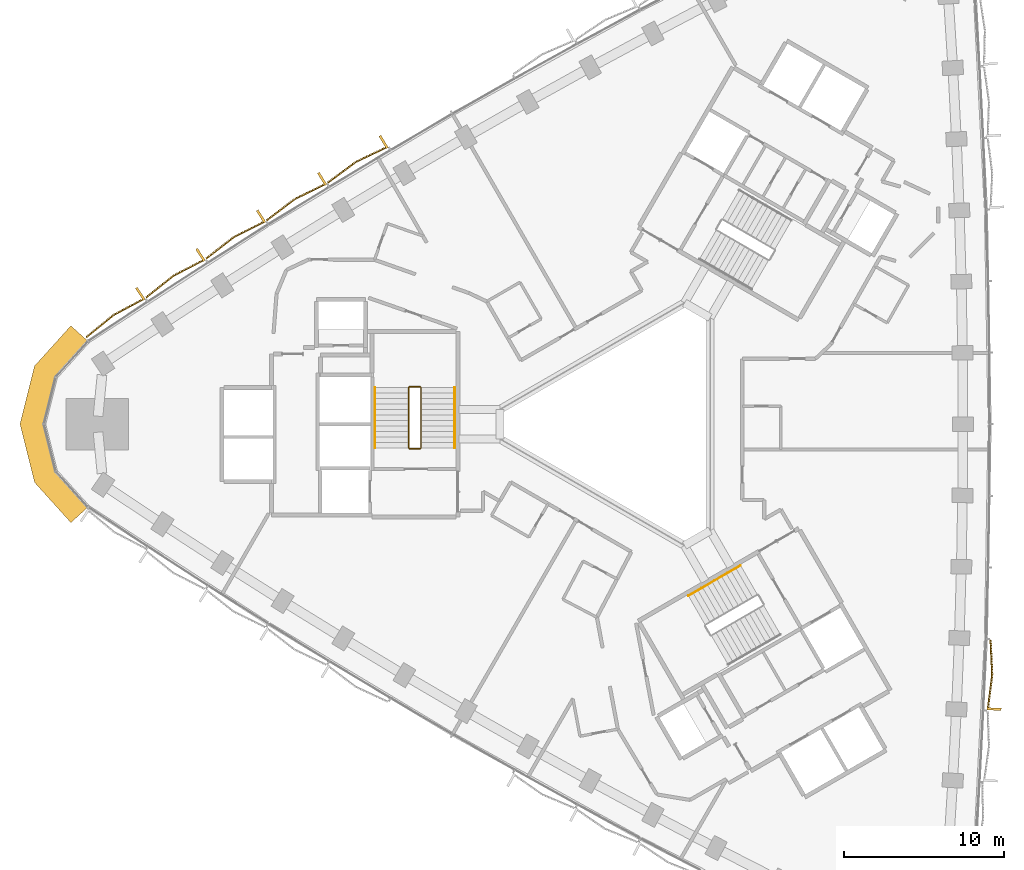
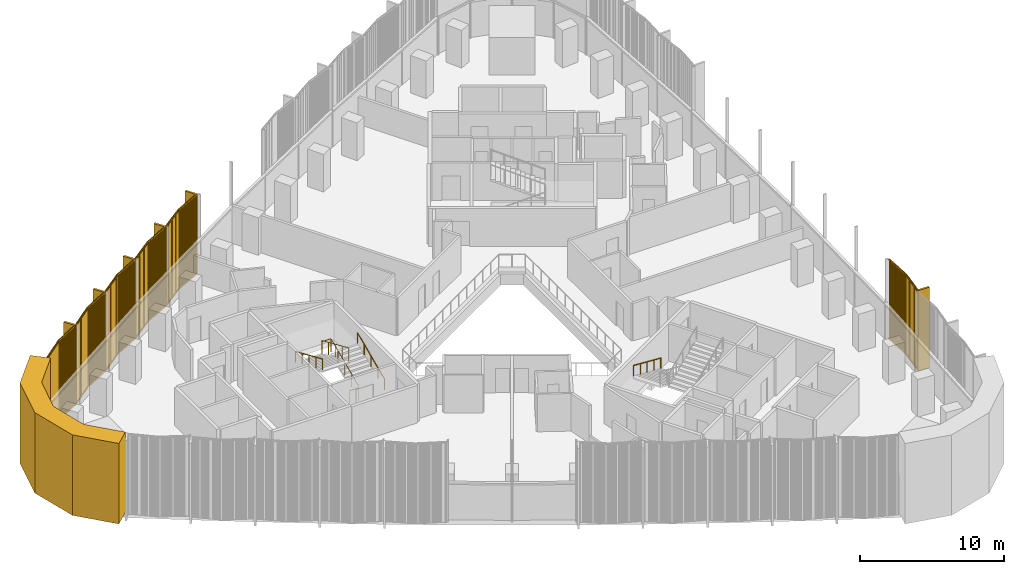
# One storey, part 13 of 15: 7 coverings, 4 railings.
"""IFC4 building model written with IfcOpenShell, lengths in metres."""

from ifc_helpers import new_model, si_unit, direction, frame, frame_2d, origin, origin_2d, place, context, subcontext, project, spatial, polyline, rectangle, circle, outline, extrude, source, transform, mapped, material, layer, layer_set, type_object, element, save


model = new_model("IFC4")

# Units and contexts
model_context = context("Model", 3, precision=1e-05, world=origin(), true_north=direction((0.0, 1.0)))
body_context = subcontext(model_context, "Body", "Model", "MODEL_VIEW")
ifc_project = project(units=[si_unit("LENGTHUNIT", "METRE"), si_unit("AREAUNIT", "SQUARE_METRE"), si_unit("VOLUMEUNIT", "CUBIC_METRE"), si_unit("PLANEANGLEUNIT", "RADIAN"), si_unit("MASSUNIT", "GRAM", prefix="KILO")], contexts=[model_context])

# Site, building, storey
site_placement = place(None, origin())
site = spatial("IfcSite", under=ifc_project, at=site_placement, CompositionType="ELEMENT")
building_placement = place(site_placement, origin())
building = spatial("IfcBuilding", under=site, at=building_placement, Name="Tamra Quay Hotel Tower", CompositionType="ELEMENT")
storey_placement = place(building_placement, frame((0.0, 0.0, 111.800048828125)))
storey = spatial("IfcBuildingStorey", under=building, at=storey_placement, Name="L27", CompositionType="ELEMENT", Elevation=111.800048828125)

# Covering
ifc_material_1 = material(Name="Precast concrete M60 terracotta-coloured", Category="masonry")
ifc_layer = layer(ifc_material_1, 1.449951171875)
ifc_layer_set = layer_set([ifc_layer], Name="CORNER PIER PANEL")
covering_type_1 = type_object("IfcCoveringType", Name="CORNER PIER PANEL", PredefinedType="CLADDING", material=ifc_layer_set)
covering_1_placement = place(storey_placement, origin())
element("IfcCovering", 1, at=covering_1_placement, inside=storey, type_object=covering_type_1, Name="Corner pier L27.north-west", PredefinedType="CLADDING", context=body_context, shape_type="SweptSolid", body=[
    extrude(outline(polyline([(-33.88525390625, 5.166015625), (-34.96142578125, 6.137451171875), (-37.2255859375, 3.62939453125), (-38.132080078125, 0.0), (-37.2255859375, -3.62939453125), (-34.96142578125, -6.137451171875), (-33.88525390625, -5.166015625), (-35.906494140625, -2.9267578125), (-36.6376953125, 0.0), (-35.906494140625, 2.9267578125), (-33.88525390625, 5.166015625)])), origin(), (0.0, 0.0, 1.0), 6.800048828125),
])

# Railings
ifc_material_2 = material(Name="Stair guard 1100")
railing_type_1 = type_object("IfcRailingType", Name="Stair guard 1100", PredefinedType="GUARDRAIL", material=ifc_material_2)
railing_1_placement = place(storey_placement, frame((-13.84130859375, -1.530029296875, 0.0)))
element("IfcRailing", 2, at=railing_1_placement, inside=storey, type_object=railing_type_1, Name="GR", PredefinedType="GUARDRAIL", context=body_context, shape_type="SweptSolid", body=[
    extrude(circle(Radius=0.02392578125, at=origin_2d()), frame((0.0, 0.0, 1.076171875), z_axis=(1.0, 0.0, 0.0), x_axis=(0.0, 1.0, 0.0)), (0.0, 0.0, 1.0), 0.658935546875),
    extrude(circle(Radius=0.02392578125, at=origin_2d()), frame((0.658935546875, 0.0, 1.076171875), z_axis=(0.301912943143, 0.301912943143, 0.904266083366), x_axis=(-0.707106781187, 0.707106781187, 0.0)), (0.0, 0.0, 1.0), 0.165771484375),
    extrude(circle(Radius=0.02392578125, at=origin_2d()), frame((0.708984375, 0.050048828125, 1.22607421875), z_axis=(0.0, 0.915773634228, 0.401694723457), x_axis=(-1.0, 0.0, 0.0)), (0.0, 0.0, 1.0), 4.10791015625),
    extrude(circle(Radius=0.02392578125, at=origin_2d()), frame((0.708984375, 3.81201171875, 2.8759765625), z_axis=(-0.708833529934, 0.705375805398, 0.0), x_axis=(-0.705375805398, -0.708833529934, 0.0)), (0.0, 0.0, 1.0), 0.070556640625),
    extrude(circle(Radius=0.02392578125, at=origin_2d()), frame((0.658935546875, 3.86181640625, 2.8759765625), z_axis=(-1.0, 0.0, 0.0), x_axis=(0.0, -1.0, 0.0)), (0.0, 0.0, 1.0), 0.658935546875),
    extrude(circle(Radius=0.02392578125, at=origin_2d()), frame((0.0, 3.86181640625, 2.8759765625), z_axis=(-0.302046947789, -0.300573548044, 0.904667443621), x_axis=(0.705375805398, -0.708833529934, 0.0)), (0.0, 0.0, 1.0), 0.165771484375),
    extrude(circle(Radius=0.02392578125, at=origin_2d()), frame((-0.050048828125, 3.81201171875, 3.02587890625), z_axis=(0.0, -0.915795495799, 0.401644880304), x_axis=(1.0, 0.0, 0.0)), (0.0, 0.0, 1.0), 4.10791015625),
    extrude(circle(Radius=0.02099609375, at=origin_2d()), origin(), (0.0, 0.0, 1.0), 1.052001953125),
    extrude(circle(Radius=0.02099609375, at=origin_2d()), frame((0.658935546875, 0.0, 0.0)), (0.0, 0.0, 1.0), 1.052001953125),
    extrude(circle(Radius=0.02099609375, at=origin_2d()), frame((0.708984375, 0.050048828125, 0.14990234375)), (0.0, 0.0, 1.0), 1.052001953125),
    extrude(circle(Radius=0.02099609375, at=origin_2d()), frame((0.708984375, 0.990478515625, 0.5625)), (0.0, 0.0, 1.0), 1.052001953125),
    extrude(circle(Radius=0.02099609375, at=origin_2d()), frame((0.708984375, 1.93115234375, 0.97509765625)), (0.0, 0.0, 1.0), 1.052001953125),
    extrude(circle(Radius=0.02099609375, at=origin_2d()), frame((0.708984375, 2.87158203125, 1.387451171875)), (0.0, 0.0, 1.0), 1.052001953125),
    extrude(circle(Radius=0.02099609375, at=origin_2d()), frame((0.708984375, 3.81201171875, 1.800048828125)), (0.0, 0.0, 1.0), 1.052001953125),
    extrude(circle(Radius=0.02099609375, at=origin_2d()), frame((0.658935546875, 3.86181640625, 1.800048828125)), (0.0, 0.0, 1.0), 1.052001953125),
    extrude(circle(Radius=0.02099609375, at=origin_2d()), frame((0.0, 3.86181640625, 1.800048828125)), (0.0, 0.0, 1.0), 1.052001953125),
    extrude(circle(Radius=0.02099609375, at=origin_2d()), frame((-0.050048828125, 3.81201171875, 1.949951171875)), (0.0, 0.0, 1.0), 1.052001953125),
    extrude(circle(Radius=0.02099609375, at=origin_2d()), frame((-0.050048828125, 2.87158203125, 2.3623046875)), (0.0, 0.0, 1.0), 1.052001953125),
    extrude(circle(Radius=0.02099609375, at=origin_2d()), frame((-0.050048828125, 1.93115234375, 2.77490234375)), (0.0, 0.0, 1.0), 1.052001953125),
    extrude(circle(Radius=0.02099609375, at=origin_2d()), frame((-0.050048828125, 0.990478515625, 3.1875)), (0.0, 0.0, 1.0), 1.052001953125),
    extrude(circle(Radius=0.02099609375, at=origin_2d()), frame((-0.050048828125, 0.050048828125, 3.599853515625)), (0.0, 0.0, 1.0), 1.052001953125),
])
ifc_material_3 = material(Name="Stair handrail 900")
railing_type_2 = type_object("IfcRailingType", Name="Stair handrail 900", PredefinedType="HANDRAIL", material=ifc_material_3)
railing_2_placement = place(storey_placement, frame((-11.0322265625, -1.47998046875, 0.14990234375)))
element("IfcRailing", 3, at=railing_2_placement, inside=storey, type_object=railing_type_2, Name="HR", PredefinedType="HANDRAIL", context=body_context, shape_type="SweptSolid", body=[
    extrude(circle(Radius=0.02392578125, at=origin_2d()), frame((0.0, 0.0, 0.8759765625), z_axis=(0.0, 0.915773634228, 0.401694723457), x_axis=(-1.0, 0.0, 0.0)), (0.0, 0.0, 1.0), 4.10791015625),
    extrude(circle(Radius=0.02099609375, at=origin_2d()), origin(), (0.0, 0.0, 1.0), 0.851806640625),
    extrude(circle(Radius=0.02099609375, at=origin_2d()), frame((0.0, 0.9404296875, 0.41259765625)), (0.0, 0.0, 1.0), 0.851806640625),
    extrude(circle(Radius=0.02099609375, at=origin_2d()), frame((0.0, 1.880859375, 0.8251953125)), (0.0, 0.0, 1.0), 0.851806640625),
    extrude(circle(Radius=0.02099609375, at=origin_2d()), frame((0.0, 2.821533203125, 1.237548828125)), (0.0, 0.0, 1.0), 0.851806640625),
    extrude(circle(Radius=0.02099609375, at=origin_2d()), frame((0.0, 3.761962890625, 1.650146484375)), (0.0, 0.0, 1.0), 0.851806640625),
])
railing_3_placement = place(storey_placement, frame((-15.9912109375, 2.281982421875, 1.949951171875)))
element("IfcRailing", 4, at=railing_3_placement, inside=storey, type_object=railing_type_2, Name="HR", PredefinedType="HANDRAIL", context=body_context, shape_type="SweptSolid", body=[
    extrude(circle(Radius=0.02392578125, at=origin_2d()), frame((0.0, 0.0, 0.8759765625), z_axis=(0.0, -0.915795495799, 0.401644880304), x_axis=(1.0, 0.0, 0.0)), (0.0, 0.0, 1.0), 4.10791015625),
    extrude(circle(Radius=0.02099609375, at=origin_2d()), origin(), (0.0, 0.0, 1.0), 0.851806640625),
    extrude(circle(Radius=0.02099609375, at=origin_2d()), frame((0.0, -0.9404296875, 0.41259765625)), (0.0, 0.0, 1.0), 0.851806640625),
    extrude(circle(Radius=0.02099609375, at=origin_2d()), frame((0.0, -1.880859375, 0.824951171875)), (0.0, 0.0, 1.0), 0.851806640625),
    extrude(circle(Radius=0.02099609375, at=origin_2d()), frame((0.0, -2.821533203125, 1.2373046875)), (0.0, 0.0, 1.0), 0.851806640625),
    extrude(circle(Radius=0.02099609375, at=origin_2d()), frame((0.0, -3.761962890625, 1.64990234375)), (0.0, 0.0, 1.0), 0.851806640625),
])
railing_4_placement = place(storey_placement, frame((6.7978515625, -8.814208984375, 0.14990234375)))
element("IfcRailing", 5, at=railing_4_placement, inside=storey, type_object=railing_type_2, Name="HR", PredefinedType="HANDRAIL", context=body_context, shape_type="SweptSolid", body=[
    extrude(circle(Radius=0.02392578125, at=origin_2d()), frame((0.0, 0.0, 0.8759765625), z_axis=(-0.793081112945, -0.457875966286, 0.40171127416), x_axis=(0.499992114976, -0.866029956157, 0.0)), (0.0, 0.0, 1.0), 4.10791015625),
    extrude(circle(Radius=0.02099609375, at=origin_2d()), origin(), (0.0, 0.0, 1.0), 0.851806640625),
    extrude(circle(Radius=0.02099609375, at=origin_2d()), frame((-0.814453125, -0.47021484375, 0.41259765625)), (0.0, 0.0, 1.0), 0.851806640625),
    extrude(circle(Radius=0.02099609375, at=origin_2d()), frame((-1.62890625, -0.9404296875, 0.8251953125)), (0.0, 0.0, 1.0), 0.851806640625),
    extrude(circle(Radius=0.02099609375, at=origin_2d()), frame((-2.443359375, -1.41064453125, 1.237548828125)), (0.0, 0.0, 1.0), 0.851806640625),
    extrude(circle(Radius=0.02099609375, at=origin_2d()), frame((-3.2578125, -1.880859375, 1.650146484375)), (0.0, 0.0, 1.0), 0.851806640625),
])

# Coverings
ifc_material_4 = material(Name="Terracotta baguette extruded", Category="masonry")
covering_type_2 = type_object("IfcCoveringType", Name="BAGUETTE SCREEN E-V H6800", PredefinedType="USERDEFINED", material=ifc_material_4)
shared_shape_1 = source(origin(), body_context, "Body", "SweptSolid", [
    extrude(rectangle(XDim=2.200927734375, YDim=0.06005859375, at=frame_2d((1.1005859375, 0.030029296875))), frame((-2.19775390625, -0.057861328125, -0.1201171875), z_axis=(0.0, 0.0, 1.0), x_axis=(0.996194698092, -0.087155742748, 0.0)), (0.0, 0.0, 1.0), 0.1201171875),
    extrude(rectangle(XDim=2.200927734375, YDim=0.06005859375, at=frame_2d((1.1005859375, 0.030029296875))), frame((-2.19775390625, -0.057861328125, -6.800048828125), z_axis=(0.0, 0.0, 1.0), x_axis=(0.996194698092, -0.087155742748, 0.0)), (0.0, 0.0, 1.0), 0.1201171875),
    extrude(rectangle(XDim=0.070068359375, YDim=0.10009765625, at=frame_2d((0.03515625, 0.050048828125))), frame((-2.177734375, -0.13232421875, -6.739990234375)), (0.0, 0.0, 1.0), 6.679931640625),
    extrude(rectangle(XDim=0.070068359375, YDim=0.10009765625, at=frame_2d((0.03515625, 0.050048828125))), frame((-2.078125, -0.14111328125, -6.739990234375)), (0.0, 0.0, 1.0), 6.679931640625),
    extrude(rectangle(XDim=0.070068359375, YDim=0.10009765625, at=frame_2d((0.03515625, 0.050048828125))), frame((-1.978271484375, -0.14990234375, -6.739990234375)), (0.0, 0.0, 1.0), 6.679931640625),
    extrude(rectangle(XDim=0.070068359375, YDim=0.10009765625, at=frame_2d((0.03515625, 0.050048828125))), frame((-1.878662109375, -0.158447265625, -6.739990234375)), (0.0, 0.0, 1.0), 6.679931640625),
    extrude(rectangle(XDim=0.070068359375, YDim=0.10009765625, at=frame_2d((0.03515625, 0.050048828125))), frame((-1.779052734375, -0.167236328125, -6.739990234375)), (0.0, 0.0, 1.0), 6.679931640625),
    extrude(rectangle(XDim=0.070068359375, YDim=0.10009765625, at=frame_2d((0.03515625, 0.050048828125))), frame((-1.679443359375, -0.176025390625, -6.739990234375)), (0.0, 0.0, 1.0), 6.679931640625),
    extrude(rectangle(XDim=0.070068359375, YDim=0.10009765625, at=frame_2d((0.03515625, 0.050048828125))), frame((-1.579833984375, -0.1845703125, -6.739990234375)), (0.0, 0.0, 1.0), 6.679931640625),
    extrude(rectangle(XDim=0.070068359375, YDim=0.10009765625, at=frame_2d((0.03515625, 0.050048828125))), frame((-1.47998046875, -0.193359375, -6.739990234375)), (0.0, 0.0, 1.0), 6.679931640625),
    extrude(rectangle(XDim=0.070068359375, YDim=0.10009765625, at=frame_2d((0.03515625, 0.050048828125))), frame((-1.38037109375, -0.2021484375, -6.739990234375)), (0.0, 0.0, 1.0), 6.679931640625),
    extrude(rectangle(XDim=0.070068359375, YDim=0.10009765625, at=frame_2d((0.03515625, 0.050048828125))), frame((-1.28076171875, -0.2109375, -6.739990234375)), (0.0, 0.0, 1.0), 6.679931640625),
    extrude(rectangle(XDim=0.070068359375, YDim=0.10009765625, at=frame_2d((0.03515625, 0.050048828125))), frame((-1.18115234375, -0.219482421875, -6.739990234375)), (0.0, 0.0, 1.0), 6.679931640625),
    extrude(rectangle(XDim=0.070068359375, YDim=0.10009765625, at=frame_2d((0.03515625, 0.050048828125))), frame((-1.081298828125, -0.228271484375, -6.739990234375)), (0.0, 0.0, 1.0), 6.679931640625),
    extrude(rectangle(XDim=0.070068359375, YDim=0.10009765625, at=frame_2d((0.03515625, 0.050048828125))), frame((-0.981689453125, -0.237060546875, -6.739990234375)), (0.0, 0.0, 1.0), 6.679931640625),
    extrude(rectangle(XDim=0.070068359375, YDim=0.10009765625, at=frame_2d((0.03515625, 0.050048828125))), frame((-0.882080078125, -0.24560546875, -6.739990234375)), (0.0, 0.0, 1.0), 6.679931640625),
    extrude(rectangle(XDim=0.070068359375, YDim=0.10009765625, at=frame_2d((0.03515625, 0.050048828125))), frame((-0.782470703125, -0.25439453125, -6.739990234375)), (0.0, 0.0, 1.0), 6.679931640625),
    extrude(rectangle(XDim=0.070068359375, YDim=0.10009765625, at=frame_2d((0.03515625, 0.050048828125))), frame((-0.682861328125, -0.26318359375, -6.739990234375)), (0.0, 0.0, 1.0), 6.679931640625),
    extrude(rectangle(XDim=0.070068359375, YDim=0.10009765625, at=frame_2d((0.03515625, 0.050048828125))), frame((-0.583251953125, -0.27197265625, -6.739990234375)), (0.0, 0.0, 1.0), 6.679931640625),
    extrude(rectangle(XDim=0.070068359375, YDim=0.10009765625, at=frame_2d((0.03515625, 0.050048828125))), frame((-0.4833984375, -0.280517578125, -6.739990234375)), (0.0, 0.0, 1.0), 6.679931640625),
    extrude(rectangle(XDim=0.070068359375, YDim=0.10009765625, at=frame_2d((0.03515625, 0.050048828125))), frame((-0.3837890625, -0.289306640625, -6.739990234375)), (0.0, 0.0, 1.0), 6.679931640625),
    extrude(rectangle(XDim=0.070068359375, YDim=0.10009765625, at=frame_2d((0.03515625, 0.050048828125))), frame((-0.2841796875, -0.298095703125, -6.739990234375)), (0.0, 0.0, 1.0), 6.679931640625),
    extrude(rectangle(XDim=0.070068359375, YDim=0.10009765625, at=frame_2d((0.03515625, 0.050048828125))), frame((-0.1845703125, -0.306640625, -6.739990234375)), (0.0, 0.0, 1.0), 6.679931640625),
    extrude(rectangle(XDim=0.070068359375, YDim=0.10009765625, at=frame_2d((0.03515625, 0.050048828125))), frame((-0.084716796875, -0.3154296875, -6.739990234375)), (0.0, 0.0, 1.0), 6.679931640625),
    extrude(rectangle(XDim=2.200927734375, YDim=0.06005859375, at=frame_2d((1.1005859375, 0.030029296875))), frame((0.005126953125, -0.24951171875, -0.1201171875), z_axis=(0.0, 0.0, 1.0), x_axis=(0.996194698092, 0.087155742748, 0.0)), (0.0, 0.0, 1.0), 0.1201171875),
    extrude(rectangle(XDim=2.200927734375, YDim=0.06005859375, at=frame_2d((1.1005859375, 0.030029296875))), frame((0.005126953125, -0.24951171875, -6.800048828125), z_axis=(0.0, 0.0, 1.0), x_axis=(0.996194698092, 0.087155742748, 0.0)), (0.0, 0.0, 1.0), 0.1201171875),
    extrude(rectangle(XDim=0.070068359375, YDim=0.10009765625, at=frame_2d((0.03515625, 0.050048828125))), frame((0.014892578125, -0.3154296875, -6.739990234375)), (0.0, 0.0, 1.0), 6.679931640625),
    extrude(rectangle(XDim=0.070068359375, YDim=0.10009765625, at=frame_2d((0.03515625, 0.050048828125))), frame((0.114501953125, -0.306640625, -6.739990234375)), (0.0, 0.0, 1.0), 6.679931640625),
    extrude(rectangle(XDim=0.070068359375, YDim=0.10009765625, at=frame_2d((0.03515625, 0.050048828125))), frame((0.214111328125, -0.298095703125, -6.739990234375)), (0.0, 0.0, 1.0), 6.679931640625),
    extrude(rectangle(XDim=0.070068359375, YDim=0.10009765625, at=frame_2d((0.03515625, 0.050048828125))), frame((0.313720703125, -0.289306640625, -6.739990234375)), (0.0, 0.0, 1.0), 6.679931640625),
    extrude(rectangle(XDim=0.070068359375, YDim=0.10009765625, at=frame_2d((0.03515625, 0.050048828125))), frame((0.41357421875, -0.280517578125, -6.739990234375)), (0.0, 0.0, 1.0), 6.679931640625),
    extrude(rectangle(XDim=0.070068359375, YDim=0.10009765625, at=frame_2d((0.03515625, 0.050048828125))), frame((0.51318359375, -0.27197265625, -6.739990234375)), (0.0, 0.0, 1.0), 6.679931640625),
    extrude(rectangle(XDim=0.070068359375, YDim=0.10009765625, at=frame_2d((0.03515625, 0.050048828125))), frame((0.61279296875, -0.26318359375, -6.739990234375)), (0.0, 0.0, 1.0), 6.679931640625),
    extrude(rectangle(XDim=0.070068359375, YDim=0.10009765625, at=frame_2d((0.03515625, 0.050048828125))), frame((0.71240234375, -0.25439453125, -6.739990234375)), (0.0, 0.0, 1.0), 6.679931640625),
    extrude(rectangle(XDim=0.070068359375, YDim=0.10009765625, at=frame_2d((0.03515625, 0.050048828125))), frame((0.81201171875, -0.24560546875, -6.739990234375)), (0.0, 0.0, 1.0), 6.679931640625),
    extrude(rectangle(XDim=0.070068359375, YDim=0.10009765625, at=frame_2d((0.03515625, 0.050048828125))), frame((0.911865234375, -0.237060546875, -6.739990234375)), (0.0, 0.0, 1.0), 6.679931640625),
    extrude(rectangle(XDim=0.070068359375, YDim=0.10009765625, at=frame_2d((0.03515625, 0.050048828125))), frame((1.011474609375, -0.228271484375, -6.739990234375)), (0.0, 0.0, 1.0), 6.679931640625),
    extrude(rectangle(XDim=0.070068359375, YDim=0.10009765625, at=frame_2d((0.03515625, 0.050048828125))), frame((1.111083984375, -0.219482421875, -6.739990234375)), (0.0, 0.0, 1.0), 6.679931640625),
    extrude(rectangle(XDim=0.070068359375, YDim=0.10009765625, at=frame_2d((0.03515625, 0.050048828125))), frame((1.210693359375, -0.2109375, -6.739990234375)), (0.0, 0.0, 1.0), 6.679931640625),
    extrude(rectangle(XDim=0.070068359375, YDim=0.10009765625, at=frame_2d((0.03515625, 0.050048828125))), frame((1.310302734375, -0.2021484375, -6.739990234375)), (0.0, 0.0, 1.0), 6.679931640625),
    extrude(rectangle(XDim=0.070068359375, YDim=0.10009765625, at=frame_2d((0.03515625, 0.050048828125))), frame((1.41015625, -0.193359375, -6.739990234375)), (0.0, 0.0, 1.0), 6.679931640625),
    extrude(rectangle(XDim=0.070068359375, YDim=0.10009765625, at=frame_2d((0.03515625, 0.050048828125))), frame((1.509765625, -0.1845703125, -6.739990234375)), (0.0, 0.0, 1.0), 6.679931640625),
    extrude(rectangle(XDim=0.070068359375, YDim=0.10009765625, at=frame_2d((0.03515625, 0.050048828125))), frame((1.609375, -0.176025390625, -6.739990234375)), (0.0, 0.0, 1.0), 6.679931640625),
    extrude(rectangle(XDim=0.070068359375, YDim=0.10009765625, at=frame_2d((0.03515625, 0.050048828125))), frame((1.708984375, -0.167236328125, -6.739990234375)), (0.0, 0.0, 1.0), 6.679931640625),
    extrude(rectangle(XDim=0.070068359375, YDim=0.10009765625, at=frame_2d((0.03515625, 0.050048828125))), frame((1.80859375, -0.158447265625, -6.739990234375)), (0.0, 0.0, 1.0), 6.679931640625),
    extrude(rectangle(XDim=0.070068359375, YDim=0.10009765625, at=frame_2d((0.03515625, 0.050048828125))), frame((1.908447265625, -0.14990234375, -6.739990234375)), (0.0, 0.0, 1.0), 6.679931640625),
    extrude(rectangle(XDim=0.070068359375, YDim=0.10009765625, at=frame_2d((0.03515625, 0.050048828125))), frame((2.008056640625, -0.14111328125, -6.739990234375)), (0.0, 0.0, 1.0), 6.679931640625),
    extrude(rectangle(XDim=0.070068359375, YDim=0.10009765625, at=frame_2d((0.03515625, 0.050048828125))), frame((2.107666015625, -0.13232421875, -6.739990234375)), (0.0, 0.0, 1.0), 6.679931640625),
    extrude(rectangle(XDim=0.14990234375, YDim=0.902099609375, at=frame_2d((0.074951171875, 0.451171875))), frame((-2.1923828125, -0.89990234375, -6.800048828125)), (0.0, 0.0, 1.0), 6.800048828125),
])
covering_2_placement = place(storey_placement, frame((22.232177734375, -15.628173828125, 6.800048828125), z_axis=(0.0, 0.0, 1.0), x_axis=(0.039943755239, 0.999201929751, 0.0)))
element("IfcCovering", 6, at=covering_2_placement, inside=storey, type_object=covering_type_2, Name="Baguette screen L27.E.f02", ObjectType="BAGUETTE SCREEN", PredefinedType="USERDEFINED", context=body_context, shape_type="MappedRepresentation", body=[
    mapped(shared_shape_1, transform((0.0, 0.0, 0.0), scale=1.0)),
])
covering_type_3 = type_object("IfcCoveringType", Name="BAGUETTE SCREEN NW-V H6800", PredefinedType="USERDEFINED", material=ifc_material_4)
shared_shape_2 = source(origin(), body_context, "Body", "SweptSolid", [
    extrude(rectangle(XDim=2.20263671875, YDim=0.06005859375, at=frame_2d((1.101318359375, 0.030029296875))), frame((-2.1982421875, -0.0576171875, -0.1201171875), z_axis=(0.0, 0.0, 1.0), x_axis=(0.995396198367, -0.09584575252, 0.0)), (0.0, 0.0, 1.0), 0.1201171875),
    extrude(rectangle(XDim=2.20263671875, YDim=0.06005859375, at=frame_2d((1.101318359375, 0.030029296875))), frame((-2.1982421875, -0.0576171875, -6.800048828125), z_axis=(0.0, 0.0, 1.0), x_axis=(0.995396198367, -0.09584575252, 0.0)), (0.0, 0.0, 1.0), 0.1201171875),
    extrude(rectangle(XDim=0.070068359375, YDim=0.10009765625, at=frame_2d((0.03515625, 0.050048828125))), frame((-2.177734375, -0.1328125, -6.739990234375)), (0.0, 0.0, 1.0), 6.679931640625),
    extrude(rectangle(XDim=0.070068359375, YDim=0.10009765625, at=frame_2d((0.03515625, 0.050048828125))), frame((-2.078125, -0.142333984375, -6.739990234375)), (0.0, 0.0, 1.0), 6.679931640625),
    extrude(rectangle(XDim=0.070068359375, YDim=0.10009765625, at=frame_2d((0.03515625, 0.050048828125))), frame((-1.978271484375, -0.152099609375, -6.739990234375)), (0.0, 0.0, 1.0), 6.679931640625),
    extrude(rectangle(XDim=0.070068359375, YDim=0.10009765625, at=frame_2d((0.03515625, 0.050048828125))), frame((-1.878662109375, -0.16162109375, -6.739990234375)), (0.0, 0.0, 1.0), 6.679931640625),
    extrude(rectangle(XDim=0.070068359375, YDim=0.10009765625, at=frame_2d((0.03515625, 0.050048828125))), frame((-1.779052734375, -0.171142578125, -6.739990234375)), (0.0, 0.0, 1.0), 6.679931640625),
    extrude(rectangle(XDim=0.070068359375, YDim=0.10009765625, at=frame_2d((0.03515625, 0.050048828125))), frame((-1.679443359375, -0.1806640625, -6.739990234375)), (0.0, 0.0, 1.0), 6.679931640625),
    extrude(rectangle(XDim=0.070068359375, YDim=0.10009765625, at=frame_2d((0.03515625, 0.050048828125))), frame((-1.579833984375, -0.1904296875, -6.739990234375)), (0.0, 0.0, 1.0), 6.679931640625),
    extrude(rectangle(XDim=0.070068359375, YDim=0.10009765625, at=frame_2d((0.03515625, 0.050048828125))), frame((-1.47998046875, -0.199951171875, -6.739990234375)), (0.0, 0.0, 1.0), 6.679931640625),
    extrude(rectangle(XDim=0.070068359375, YDim=0.10009765625, at=frame_2d((0.03515625, 0.050048828125))), frame((-1.38037109375, -0.20947265625, -6.739990234375)), (0.0, 0.0, 1.0), 6.679931640625),
    extrude(rectangle(XDim=0.070068359375, YDim=0.10009765625, at=frame_2d((0.03515625, 0.050048828125))), frame((-1.28076171875, -0.21923828125, -6.739990234375)), (0.0, 0.0, 1.0), 6.679931640625),
    extrude(rectangle(XDim=0.070068359375, YDim=0.10009765625, at=frame_2d((0.03515625, 0.050048828125))), frame((-1.18115234375, -0.228759765625, -6.739990234375)), (0.0, 0.0, 1.0), 6.679931640625),
    extrude(rectangle(XDim=0.070068359375, YDim=0.10009765625, at=frame_2d((0.03515625, 0.050048828125))), frame((-1.081298828125, -0.23828125, -6.739990234375)), (0.0, 0.0, 1.0), 6.679931640625),
    extrude(rectangle(XDim=0.070068359375, YDim=0.10009765625, at=frame_2d((0.03515625, 0.050048828125))), frame((-0.981689453125, -0.248046875, -6.739990234375)), (0.0, 0.0, 1.0), 6.679931640625),
    extrude(rectangle(XDim=0.070068359375, YDim=0.10009765625, at=frame_2d((0.03515625, 0.050048828125))), frame((-0.882080078125, -0.257568359375, -6.739990234375)), (0.0, 0.0, 1.0), 6.679931640625),
    extrude(rectangle(XDim=0.070068359375, YDim=0.10009765625, at=frame_2d((0.03515625, 0.050048828125))), frame((-0.782470703125, -0.26708984375, -6.739990234375)), (0.0, 0.0, 1.0), 6.679931640625),
    extrude(rectangle(XDim=0.070068359375, YDim=0.10009765625, at=frame_2d((0.03515625, 0.050048828125))), frame((-0.682861328125, -0.27685546875, -6.739990234375)), (0.0, 0.0, 1.0), 6.679931640625),
    extrude(rectangle(XDim=0.070068359375, YDim=0.10009765625, at=frame_2d((0.03515625, 0.050048828125))), frame((-0.583251953125, -0.286376953125, -6.739990234375)), (0.0, 0.0, 1.0), 6.679931640625),
    extrude(rectangle(XDim=0.070068359375, YDim=0.10009765625, at=frame_2d((0.03515625, 0.050048828125))), frame((-0.4833984375, -0.2958984375, -6.739990234375)), (0.0, 0.0, 1.0), 6.679931640625),
    extrude(rectangle(XDim=0.070068359375, YDim=0.10009765625, at=frame_2d((0.03515625, 0.050048828125))), frame((-0.3837890625, -0.305419921875, -6.739990234375)), (0.0, 0.0, 1.0), 6.679931640625),
    extrude(rectangle(XDim=0.070068359375, YDim=0.10009765625, at=frame_2d((0.03515625, 0.050048828125))), frame((-0.2841796875, -0.315185546875, -6.739990234375)), (0.0, 0.0, 1.0), 6.679931640625),
    extrude(rectangle(XDim=0.070068359375, YDim=0.10009765625, at=frame_2d((0.03515625, 0.050048828125))), frame((-0.1845703125, -0.32470703125, -6.739990234375)), (0.0, 0.0, 1.0), 6.679931640625),
    extrude(rectangle(XDim=0.070068359375, YDim=0.10009765625, at=frame_2d((0.03515625, 0.050048828125))), frame((-0.084716796875, -0.334228515625, -6.739990234375)), (0.0, 0.0, 1.0), 6.679931640625),
    extrude(rectangle(XDim=2.20263671875, YDim=0.06005859375, at=frame_2d((1.101318359375, 0.030029296875))), frame((0.005859375, -0.268798828125, -0.1201171875), z_axis=(0.0, 0.0, 1.0), x_axis=(0.995396198367, 0.09584575252, 0.0)), (0.0, 0.0, 1.0), 0.1201171875),
    extrude(rectangle(XDim=2.20263671875, YDim=0.06005859375, at=frame_2d((1.101318359375, 0.030029296875))), frame((0.005859375, -0.268798828125, -6.800048828125), z_axis=(0.0, 0.0, 1.0), x_axis=(0.995396198367, 0.09584575252, 0.0)), (0.0, 0.0, 1.0), 0.1201171875),
    extrude(rectangle(XDim=0.070068359375, YDim=0.10009765625, at=frame_2d((0.03515625, 0.050048828125))), frame((0.014892578125, -0.334228515625, -6.739990234375)), (0.0, 0.0, 1.0), 6.679931640625),
    extrude(rectangle(XDim=0.070068359375, YDim=0.10009765625, at=frame_2d((0.03515625, 0.050048828125))), frame((0.114501953125, -0.32470703125, -6.739990234375)), (0.0, 0.0, 1.0), 6.679931640625),
    extrude(rectangle(XDim=0.070068359375, YDim=0.10009765625, at=frame_2d((0.03515625, 0.050048828125))), frame((0.214111328125, -0.315185546875, -6.739990234375)), (0.0, 0.0, 1.0), 6.679931640625),
    extrude(rectangle(XDim=0.070068359375, YDim=0.10009765625, at=frame_2d((0.03515625, 0.050048828125))), frame((0.313720703125, -0.305419921875, -6.739990234375)), (0.0, 0.0, 1.0), 6.679931640625),
    extrude(rectangle(XDim=0.070068359375, YDim=0.10009765625, at=frame_2d((0.03515625, 0.050048828125))), frame((0.41357421875, -0.2958984375, -6.739990234375)), (0.0, 0.0, 1.0), 6.679931640625),
    extrude(rectangle(XDim=0.070068359375, YDim=0.10009765625, at=frame_2d((0.03515625, 0.050048828125))), frame((0.51318359375, -0.286376953125, -6.739990234375)), (0.0, 0.0, 1.0), 6.679931640625),
    extrude(rectangle(XDim=0.070068359375, YDim=0.10009765625, at=frame_2d((0.03515625, 0.050048828125))), frame((0.61279296875, -0.27685546875, -6.739990234375)), (0.0, 0.0, 1.0), 6.679931640625),
    extrude(rectangle(XDim=0.070068359375, YDim=0.10009765625, at=frame_2d((0.03515625, 0.050048828125))), frame((0.71240234375, -0.26708984375, -6.739990234375)), (0.0, 0.0, 1.0), 6.679931640625),
    extrude(rectangle(XDim=0.070068359375, YDim=0.10009765625, at=frame_2d((0.03515625, 0.050048828125))), frame((0.81201171875, -0.257568359375, -6.739990234375)), (0.0, 0.0, 1.0), 6.679931640625),
    extrude(rectangle(XDim=0.070068359375, YDim=0.10009765625, at=frame_2d((0.03515625, 0.050048828125))), frame((0.911865234375, -0.248046875, -6.739990234375)), (0.0, 0.0, 1.0), 6.679931640625),
    extrude(rectangle(XDim=0.070068359375, YDim=0.10009765625, at=frame_2d((0.03515625, 0.050048828125))), frame((1.011474609375, -0.23828125, -6.739990234375)), (0.0, 0.0, 1.0), 6.679931640625),
    extrude(rectangle(XDim=0.070068359375, YDim=0.10009765625, at=frame_2d((0.03515625, 0.050048828125))), frame((1.111083984375, -0.228759765625, -6.739990234375)), (0.0, 0.0, 1.0), 6.679931640625),
    extrude(rectangle(XDim=0.070068359375, YDim=0.10009765625, at=frame_2d((0.03515625, 0.050048828125))), frame((1.210693359375, -0.21923828125, -6.739990234375)), (0.0, 0.0, 1.0), 6.679931640625),
    extrude(rectangle(XDim=0.070068359375, YDim=0.10009765625, at=frame_2d((0.03515625, 0.050048828125))), frame((1.310302734375, -0.20947265625, -6.739990234375)), (0.0, 0.0, 1.0), 6.679931640625),
    extrude(rectangle(XDim=0.070068359375, YDim=0.10009765625, at=frame_2d((0.03515625, 0.050048828125))), frame((1.41015625, -0.199951171875, -6.739990234375)), (0.0, 0.0, 1.0), 6.679931640625),
    extrude(rectangle(XDim=0.070068359375, YDim=0.10009765625, at=frame_2d((0.03515625, 0.050048828125))), frame((1.509765625, -0.1904296875, -6.739990234375)), (0.0, 0.0, 1.0), 6.679931640625),
    extrude(rectangle(XDim=0.070068359375, YDim=0.10009765625, at=frame_2d((0.03515625, 0.050048828125))), frame((1.609375, -0.1806640625, -6.739990234375)), (0.0, 0.0, 1.0), 6.679931640625),
    extrude(rectangle(XDim=0.070068359375, YDim=0.10009765625, at=frame_2d((0.03515625, 0.050048828125))), frame((1.708984375, -0.171142578125, -6.739990234375)), (0.0, 0.0, 1.0), 6.679931640625),
    extrude(rectangle(XDim=0.070068359375, YDim=0.10009765625, at=frame_2d((0.03515625, 0.050048828125))), frame((1.80859375, -0.16162109375, -6.739990234375)), (0.0, 0.0, 1.0), 6.679931640625),
    extrude(rectangle(XDim=0.070068359375, YDim=0.10009765625, at=frame_2d((0.03515625, 0.050048828125))), frame((1.908447265625, -0.152099609375, -6.739990234375)), (0.0, 0.0, 1.0), 6.679931640625),
    extrude(rectangle(XDim=0.070068359375, YDim=0.10009765625, at=frame_2d((0.03515625, 0.050048828125))), frame((2.008056640625, -0.142333984375, -6.739990234375)), (0.0, 0.0, 1.0), 6.679931640625),
    extrude(rectangle(XDim=0.070068359375, YDim=0.10009765625, at=frame_2d((0.03515625, 0.050048828125))), frame((2.107666015625, -0.1328125, -6.739990234375)), (0.0, 0.0, 1.0), 6.679931640625),
    extrude(rectangle(XDim=0.14990234375, YDim=0.902099609375, at=frame_2d((0.074951171875, 0.451171875))), frame((-2.1923828125, -0.89990234375, -6.800048828125)), (0.0, 0.0, 1.0), 6.800048828125),
])
for number, where, z_axis, x_axis, name in (
    (7, (-17.04541015625, 16.124755859375, 6.800048828125), (0.0, 0.0, 1.0), (-0.857331324326, -0.514764995245, 0.0), "Baguette screen L27.NW.f07"),
    (8, (-20.861328125, 13.803955078125, 6.800048828125), (0.0, 0.0, 1.0), (-0.85139935569, -0.524518004582, 0.0), "Baguette screen L27.NW.f08"),
    (9, (-24.650634765625, 11.439453125, 6.800048828125), (0.0, 0.0, 1.0), (-0.845362377055, -0.534193271635, 0.0), "Baguette screen L27.NW.f09"),
    (10, (-28.41259765625, 9.0322265625, 6.800048828125), (0.0, 0.0, 1.0), (-0.839223908048, -0.543786016885, 0.0), "Baguette screen L27.NW.f10"),
    (11, (-32.146728515625, 6.582275390625, 6.800048828125), (0.0, 0.0, 1.0), (-0.832988002122, -0.553291052088, 0.0), "Baguette screen L27.NW.f11"),
):
    element("IfcCovering", number, at=place(storey_placement, frame(where, z_axis=z_axis, x_axis=x_axis)), inside=storey, type_object=covering_type_3, Name=name, ObjectType="BAGUETTE SCREEN", PredefinedType="USERDEFINED", context=body_context, shape_type="MappedRepresentation", body=[
        mapped(shared_shape_2, transform((0.0, 0.0, 0.0), scale=1.0)),
    ])

save(model, "model.ifc")
